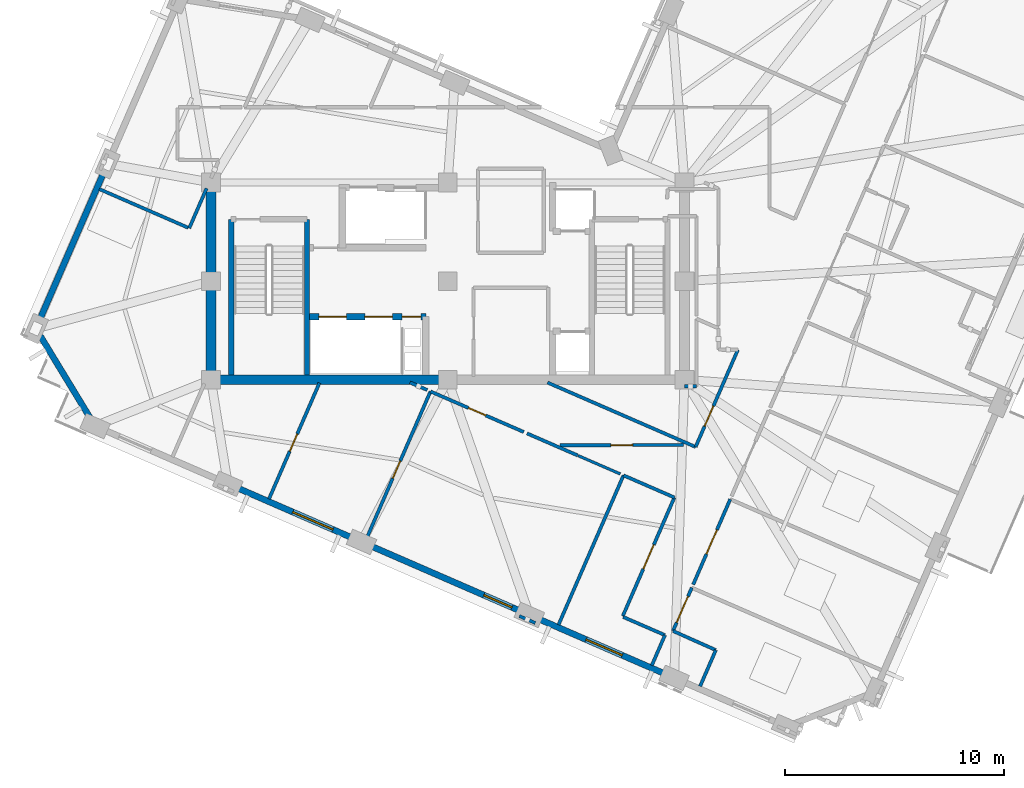
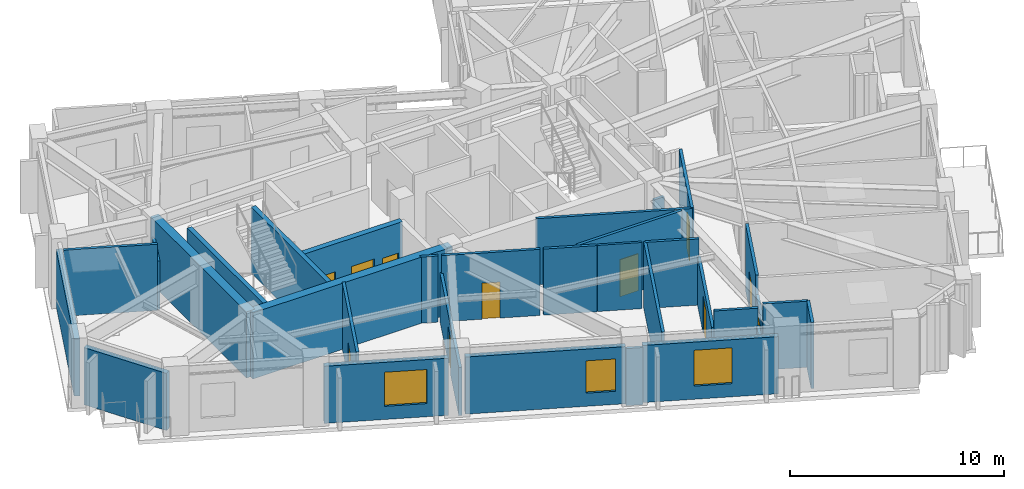
# One storey, part 4 of 11: 32 walls, 11 doors, 3 windows, 14 openings.
"""IFC4 building model written with IfcOpenShell, lengths in metres."""

from ifc_helpers import new_model, si_unit, direction, frame, frame_2d, origin, place, context, subcontext, project, spatial, rectangle, extrude, material, layer, layer_set, type_object, element, fill, save


model = new_model("IFC4")

# Units and contexts
model_context = context("Model", 3, precision=1e-05, world=origin(), true_north=direction((0.0, 1.0)))
body_context = subcontext(model_context, "Body", "Model", "MODEL_VIEW")
ifc_project = project(units=[si_unit("LENGTHUNIT", "METRE"), si_unit("AREAUNIT", "SQUARE_METRE"), si_unit("VOLUMEUNIT", "CUBIC_METRE"), si_unit("PLANEANGLEUNIT", "RADIAN"), si_unit("MASSUNIT", "GRAM", prefix="KILO")], contexts=[model_context])

# Site, building, storey
site_placement = place(None, origin())
site = spatial("IfcSite", under=ifc_project, at=site_placement, CompositionType="ELEMENT")
building_placement = place(site_placement, origin())
building = spatial("IfcBuilding", under=site, at=building_placement, Name="Gaonmaruhae Medical Tower", CompositionType="ELEMENT")
storey_placement = place(building_placement, frame((0.0, 0.0, 324.60009765625)))
storey = spatial("IfcBuildingStorey", under=building, at=storey_placement, Name="L78", CompositionType="ELEMENT", Elevation=324.60009765625)

# Walls
ifc_material_1 = material(Name="Concrete C50/60", Category="concrete")
ifc_layer_1 = layer(ifc_material_1, 0.449951171875)
ifc_layer_set_1 = layer_set([ifc_layer_1], Name="Concrete C50/60")
wall_type_1 = type_object("IfcWallType", Name="CW-450 Upper Core Shear Wall", PredefinedType="SHEAR", material=ifc_layer_set_1)
wall_1_placement = place(storey_placement, frame((14.0, 7.800048828125, 0.0), z_axis=(0.0, 0.0, 1.0), x_axis=(1.0, 0.0, 0.0)))
element("IfcWall", 1, at=wall_1_placement, inside=storey, type_object=wall_type_1, Name="L78 Core Shear Wall CSW-S1", PredefinedType="SHEAR", context=body_context, shape_type="SweptSolid", body=[
    extrude(rectangle(XDim=10.800048828125, YDim=0.449951171875, at=frame_2d((5.39990234375, 0.0))), origin(), (0.0, 0.0, 1.0), 3.77978515625),
])
wall_2_placement = place(storey_placement, frame((14.0, 16.800048828125, 0.0), z_axis=(0.0, 0.0, 1.0), x_axis=(0.0, -1.0, 0.0)))
element("IfcWall", 2, at=wall_2_placement, inside=storey, type_object=wall_type_1, Name="L78 Core Shear Wall CSW-W1", PredefinedType="SHEAR", context=body_context, shape_type="SweptSolid", body=[
    extrude(rectangle(XDim=9.0, YDim=0.449951171875, at=frame_2d((4.5, 0.0))), origin(), (0.0, 0.0, 1.0), 3.77978515625),
])
ifc_material_2 = material(Name="Precast concrete C45/55", Category="concrete")
ifc_layer_2 = layer(ifc_material_2, 0.280029296875)
ifc_layer_set_2 = layer_set([ifc_layer_2], Name="Precast concrete C45/55")
wall_type_2 = type_object("IfcWallType", Name="EW-280 Upper Precast Masonry-Frame Facade Wall", PredefinedType="SOLIDWALL", material=ifc_layer_set_2)
wall_3_placement = place(storey_placement, frame((6.17236328125, 10.498046875, 0.0), z_axis=(0.0, 0.0, 1.0), x_axis=(0.398740578379, 0.917063766133, 0.0)))
element("IfcWall", 3, at=wall_3_placement, inside=storey, type_object=wall_type_2, Name="L78 Precast Masonry-Frame Wall N02-N03", PredefinedType="SOLIDWALL", context=body_context, shape_type="SweptSolid", body=[
    extrude(rectangle(XDim=7.40478515625, YDim=0.280029296875, at=frame_2d((3.702392578125, 0.0))), origin(), (0.0, 0.0, 1.0), 3.264892578125),
])
wall_4_placement = place(storey_placement, frame((8.508544921875, 6.02734375, 0.0), z_axis=(0.0, 0.0, 1.0), x_axis=(-0.51924554751, 0.854625099907, 0.0)))
element("IfcWall", 4, at=wall_4_placement, inside=storey, type_object=wall_type_2, Name="L78 Precast Masonry-Frame Wall N03-W01", PredefinedType="SOLIDWALL", context=body_context, shape_type="SweptSolid", body=[
    extrude(rectangle(XDim=4.406982421875, YDim=0.280029296875, at=frame_2d((2.20361328125, 0.0))), origin(), (0.0, 0.0, 1.0), 3.264892578125),
])

# Wall, opening, window
wall_5_placement = place(storey_placement, frame((20.50146484375, 0.562744140625, 0.0), z_axis=(0.0, 0.0, 1.0), x_axis=(-0.917057460307, 0.39875508084, 0.0)))
wall_5 = element("IfcWall", 5, at=wall_5_placement, inside=storey, type_object=wall_type_2, Name="L78 Precast Masonry-Frame Wall W02-W03", PredefinedType="SOLIDWALL", context=body_context, shape_type="SweptSolid", body=[
    extrude(rectangle(XDim=5.85498046875, YDim=0.280029296875, at=frame_2d((2.927490234375, 0.0))), origin(), (0.0, 0.0, 1.0), 3.264892578125),
])
opening_1_placement = place(wall_5_placement, frame((1.021240234375, 0.0, 0.75)))
opening_1 = element("IfcOpeningElement", 6, at=opening_1_placement, cuts=wall_5, Name="Opening WN-02", PredefinedType="OPENING", context=body_context, shape_type="SweptSolid", body=[
    extrude(rectangle(XDim=2.0, YDim=1.949951171875, at=frame_2d((1.0, 0.97509765625))), frame((0.0, 0.14990234375, 0.0), z_axis=(0.0, -1.0, 0.0), x_axis=(1.0, 0.0, 0.0)), (0.0, 0.0, 1.0), 0.300048828125),
])
ifc_material_3 = material(Name="Anodised aluminium and Low-E double glazing", Category="aluminium")
window_type_1 = type_object("IfcWindowType", Name="WN-02 Double-Bed Ward Punched Window 2000x1950", PartitioningType="SINGLE_PANEL", PredefinedType="WINDOW", material=ifc_material_3)
window_1_placement = place(opening_1_placement, origin())
window_1 = element("IfcWindow", 7, at=window_1_placement, inside=storey, type_object=window_type_1, Name="L78 Modular Facade Window W02", OverallHeight=1.949951171875, OverallWidth=2.0, PartitioningType="SINGLE_PANEL", PredefinedType="WINDOW", context=body_context, shape_type="SweptSolid", body=[
    extrude(rectangle(XDim=2.0, YDim=1.949951171875, at=frame_2d((1.0, 0.97509765625))), frame((0.0, 0.030029296875, 0.0), z_axis=(0.0, -1.0, 0.0), x_axis=(1.0, 0.0, 0.0)), (0.0, 0.0, 1.0), 0.06005859375),
])
fill(opening_1, window_1)

wall_6_placement = place(storey_placement, frame((28.158935546875, -2.766845703125, 0.0), z_axis=(0.0, 0.0, 1.0), x_axis=(-0.917061321999, 0.398746199597, 0.0)))
wall_6 = element("IfcWall", 8, at=wall_6_placement, inside=storey, type_object=wall_type_2, Name="L78 Precast Masonry-Frame Wall W03-W04", PredefinedType="SOLIDWALL", context=body_context, shape_type="SweptSolid", body=[
    extrude(rectangle(XDim=7.5546875, YDim=0.280029296875, at=frame_2d((3.77734375, 0.0))), origin(), (0.0, 0.0, 1.0), 3.264892578125),
])
opening_2_placement = place(wall_6_placement, frame((0.469970703125, 0.0, 0.75)))
opening_2 = element("IfcOpeningElement", 9, at=opening_2_placement, cuts=wall_6, Name="Opening WN-03", PredefinedType="OPENING", context=body_context, shape_type="SweptSolid", body=[
    extrude(rectangle(XDim=1.39990234375, YDim=1.85009765625, at=frame_2d((0.699951171875, 0.925048828125))), frame((0.0, 0.14990234375, 0.0), z_axis=(0.0, -1.0, 0.0), x_axis=(1.0, 0.0, 0.0)), (0.0, 0.0, 1.0), 0.300048828125),
])
window_type_2 = type_object("IfcWindowType", Name="WN-03 Isolation Ward Punched Window 1400x1850", PartitioningType="SINGLE_PANEL", PredefinedType="WINDOW", material=ifc_material_3)
window_2_placement = place(opening_2_placement, origin())
window_2 = element("IfcWindow", 10, at=window_2_placement, inside=storey, type_object=window_type_2, Name="L78 Patient Bedroom Window L78-BR05", OverallHeight=1.85009765625, OverallWidth=1.39990234375, PartitioningType="SINGLE_PANEL", PredefinedType="WINDOW", context=body_context, shape_type="SweptSolid", body=[
    extrude(rectangle(XDim=1.39990234375, YDim=1.85009765625, at=frame_2d((0.699951171875, 0.925048828125))), frame((0.0, 0.030029296875, 0.0), z_axis=(0.0, -1.0, 0.0), x_axis=(1.0, 0.0, 0.0)), (0.0, 0.0, 1.0), 0.06005859375),
])
fill(opening_2, window_2)

wall_7_placement = place(storey_placement, frame((34.76171875, -5.6376953125, 0.0), z_axis=(0.0, 0.0, 1.0), x_axis=(-0.917056117272, 0.398758169539, 0.0)))
wall_7 = element("IfcWall", 11, at=wall_7_placement, inside=storey, type_object=wall_type_2, Name="L78 Precast Masonry-Frame Wall W04-W05", PredefinedType="SOLIDWALL", context=body_context, shape_type="SweptSolid", body=[
    extrude(rectangle(XDim=6.40478515625, YDim=0.280029296875, at=frame_2d((3.202392578125, 0.0))), origin(), (0.0, 0.0, 1.0), 3.264892578125),
])
opening_3_placement = place(wall_7_placement, frame((2.1826171875, 0.0, 0.75)))
opening_3 = element("IfcOpeningElement", 12, at=opening_3_placement, cuts=wall_7, Name="Opening WN-04", PredefinedType="OPENING", context=body_context, shape_type="SweptSolid", body=[
    extrude(rectangle(XDim=1.800048828125, YDim=2.050048828125, at=frame_2d((0.89990234375, 1.02490234375))), frame((0.0, 0.14990234375, 0.0), z_axis=(0.0, -1.0, 0.0), x_axis=(1.0, 0.0, 0.0)), (0.0, 0.0, 1.0), 0.300048828125),
])
window_type_3 = type_object("IfcWindowType", Name="WN-04 Clinic & Consult Punched Window 1800x2050", PartitioningType="SINGLE_PANEL", PredefinedType="WINDOW", material=ifc_material_3)
window_3_placement = place(opening_3_placement, origin())
window_3 = element("IfcWindow", 13, at=window_3_placement, inside=storey, type_object=window_type_3, Name="L78 Modular Facade Window W04", OverallHeight=2.050048828125, OverallWidth=1.800048828125, PartitioningType="SINGLE_PANEL", PredefinedType="WINDOW", context=body_context, shape_type="SweptSolid", body=[
    extrude(rectangle(XDim=1.800048828125, YDim=2.050048828125, at=frame_2d((0.89990234375, 1.02490234375))), frame((0.0, 0.030029296875, 0.0), z_axis=(0.0, -1.0, 0.0), x_axis=(1.0, 0.0, 0.0)), (0.0, 0.0, 1.0), 0.06005859375),
])
fill(opening_3, window_3)

# Walls
ifc_material_4 = material(Name="Gypsum board partition", Category="gypsum")
ifc_layer_3 = layer(ifc_material_4, 0.125)
ifc_layer_set_3 = layer_set([ifc_layer_3], Name="Gypsum board partition")
wall_type_3 = type_object("IfcWallType", Name="PW-125 Ward & En-Suite Acoustic Partition", PredefinedType="PARTITIONING", material=ifc_layer_set_3)
wall_8_placement = place(storey_placement, frame((30.7451171875, 4.341064453125, 0.0), z_axis=(0.0, 0.0, 1.0), x_axis=(0.917094083809, -0.398670843481, 0.0)))
element("IfcWall", 14, at=wall_8_placement, inside=storey, type_object=wall_type_3, Name="L78 Interior Partition L78-ENS05-68", PredefinedType="PARTITIONING", context=body_context, shape_type="SweptSolid", body=[
    extrude(rectangle(XDim=2.099853515625, YDim=0.125, at=frame_2d((1.0498046875, 0.0))), origin(), (0.0, 0.0, 1.0), 3.77978515625),
])
ifc_layer_4 = layer(ifc_material_4, 0.14990234375)
ifc_layer_set_4 = layer_set([ifc_layer_4], Name="Gypsum board partition")
wall_type_4 = type_object("IfcWallType", Name="PW-150 Rated Clinical Corridor Partition", PredefinedType="PARTITIONING", material=ifc_layer_set_4)
wall_9_placement = place(storey_placement, frame((37.029052734375, -4.530029296875, 0.0), z_axis=(0.0, 0.0, 1.0), x_axis=(-0.913189445399, 0.407535319711, 0.0)))
element("IfcWall", 15, at=wall_9_placement, inside=storey, type_object=wall_type_4, Name="L78 Interior Partition L78-BR01-8", PredefinedType="PARTITIONING", context=body_context, shape_type="SweptSolid", body=[
    extrude(rectangle(XDim=2.139892578125, YDim=0.14990234375, at=frame_2d((1.06982421875, 0.0))), origin(), (0.0, 0.0, 1.0), 3.77978515625),
])

# Wall, opening, door
wall_10_placement = place(storey_placement, frame((35.074951171875, -3.657958984375, 0.0), z_axis=(0.0, 0.0, 1.0), x_axis=(0.398726111414, 0.917070056253, 0.0)))
wall_10 = element("IfcWall", 16, at=wall_10_placement, inside=storey, type_object=wall_type_4, Name="L78 Interior Partition L78-BR01-9", PredefinedType="PARTITIONING", context=body_context, shape_type="SweptSolid", body=[
    extrude(rectangle(XDim=2.149169921875, YDim=0.14990234375, at=frame_2d((1.07470703125, 0.0))), origin(), (0.0, 0.0, 1.0), 2.764892578125),
])
opening_4_placement = place(wall_10_placement, frame((0.424560546875, 0.0, 0.0)))
opening_4 = element("IfcOpeningElement", 17, at=opening_4_placement, cuts=wall_10, Name="Opening WD-02", PredefinedType="OPENING", context=body_context, shape_type="SweptSolid", body=[
    extrude(rectangle(XDim=1.300048828125, YDim=2.14990234375, at=frame_2d((0.64990234375, 1.074951171875))), frame((0.0, 0.0849609375, 0.0), z_axis=(0.0, -1.0, 0.0), x_axis=(1.0, 0.0, 0.0)), (0.0, 0.0, 1.0), 0.169921875),
])
ifc_material_5 = material(Name="Antimicrobial laminate timber fire door", Category="wood")
door_type_1 = type_object("IfcDoorType", Name="WD-02 Isolation & ICU Patient Room Door 1300x2150", OperationType="NOTDEFINED", PredefinedType="DOOR", material=ifc_material_5)
door_1_placement = place(opening_4_placement, origin())
door_1 = element("IfcDoor", 18, at=door_1_placement, inside=storey, type_object=door_type_1, Name="L78 Single Isolation Patient Bedroom Door", OperationType="SINGLE_SWING_RIGHT", OverallHeight=2.14990234375, OverallWidth=1.300048828125, PredefinedType="DOOR", context=body_context, shape_type="SweptSolid", body=[
    extrude(rectangle(XDim=1.300048828125, YDim=2.14990234375, at=frame_2d((0.64990234375, 1.074951171875))), frame((0.0, 0.02490234375, 0.0), z_axis=(0.0, -1.0, 0.0), x_axis=(1.0, 0.0, 0.0)), (0.0, 0.0, 1.0), 0.050048828125),
])
fill(opening_4, door_1)

# Wall
wall_11_placement = place(storey_placement, frame((36.30908203125, -6.18505859375, 0.0), z_axis=(0.0, 0.0, 1.0), x_axis=(0.398909114857, 0.916990467826, 0.0)))
element("IfcWall", 19, at=wall_11_placement, inside=storey, type_object=wall_type_4, Name="L78 Interior Partition L78-BR01-17", PredefinedType="PARTITIONING", context=body_context, shape_type="SweptSolid", body=[
    extrude(rectangle(XDim=1.804931640625, YDim=0.14990234375, at=frame_2d((0.90234375, 0.0))), origin(), (0.0, 0.0, 1.0), 3.77978515625),
])

# Wall, opening, door
wall_12_placement = place(storey_placement, frame((35.99609375, -1.5400390625, 0.0), z_axis=(0.0, 0.0, 1.0), x_axis=(0.398633453706, 0.917110336648, 0.0)))
wall_12 = element("IfcWall", 20, at=wall_12_placement, inside=storey, type_object=wall_type_4, Name="L78 Interior Partition L78-SUP01-18", PredefinedType="PARTITIONING", context=body_context, shape_type="SweptSolid", body=[
    extrude(rectangle(XDim=4.2392578125, YDim=0.14990234375, at=frame_2d((2.11962890625, 0.0))), origin(), (0.0, 0.0, 1.0), 3.77978515625),
])
opening_5_placement = place(wall_12_placement, frame((1.519775390625, 0.0, 0.0)))
opening_5 = element("IfcOpeningElement", 21, at=opening_5_placement, cuts=wall_12, Name="Opening CD-02", PredefinedType="OPENING", context=body_context, shape_type="SweptSolid", body=[
    extrude(rectangle(XDim=1.199951171875, YDim=2.14990234375, at=frame_2d((0.60009765625, 1.074951171875))), frame((0.0, 0.0849609375, 0.0), z_axis=(0.0, -1.0, 0.0), x_axis=(1.0, 0.0, 0.0)), (0.0, 0.0, 1.0), 0.169921875),
])
door_type_2 = type_object("IfcDoorType", Name="CD-02 Clinical Treatment & Procedure Door 1200x2150", OperationType="NOTDEFINED", PredefinedType="DOOR", material=ifc_material_5)
door_2_placement = place(opening_5_placement, origin())
door_2 = element("IfcDoor", 22, at=door_2_placement, inside=storey, type_object=door_type_2, Name="L78 Clinical Biomedical Charting Office Door", OperationType="SINGLE_SWING_LEFT", OverallHeight=2.14990234375, OverallWidth=1.199951171875, PredefinedType="DOOR", context=body_context, shape_type="SweptSolid", body=[
    extrude(rectangle(XDim=1.199951171875, YDim=2.14990234375, at=frame_2d((0.60009765625, 1.074951171875))), frame((0.0, 0.02490234375, 0.0), z_axis=(0.0, -1.0, 0.0), x_axis=(1.0, 0.0, 0.0)), (0.0, 0.0, 1.0), 0.050048828125),
])
fill(opening_5, door_2)

# Walls
wall_13_placement = place(storey_placement, frame((32.801025390625, -3.01904296875, 0.0), z_axis=(0.0, 0.0, 1.0), x_axis=(0.917191295076, -0.398447146102, 0.0)))
element("IfcWall", 23, at=wall_13_placement, inside=storey, type_object=wall_type_4, Name="L78 Interior Partition L78-WCL07-58", PredefinedType="PARTITIONING", context=body_context, shape_type="SweptSolid", body=[
    extrude(rectangle(XDim=2.080322265625, YDim=0.14990234375, at=frame_2d((1.0400390625, 0.0))), origin(), (0.0, 0.0, 1.0), 3.77978515625),
])
wall_14_placement = place(storey_placement, frame((34.708984375, -3.847900390625, 0.0), z_axis=(0.0, 0.0, 1.0), x_axis=(-0.398749838991, -0.917059739551, 0.0)))
element("IfcWall", 24, at=wall_14_placement, inside=storey, type_object=wall_type_4, Name="L78 Interior Partition L78-WCL07-59", PredefinedType="PARTITIONING", context=body_context, shape_type="SweptSolid", body=[
    extrude(rectangle(XDim=1.5048828125, YDim=0.14990234375, at=frame_2d((0.75244140625, 0.0))), origin(), (0.0, 0.0, 1.0), 2.764892578125),
])
wall_15_placement = place(storey_placement, frame((29.85302734375, -3.3779296875, 0.0), z_axis=(0.0, 0.0, 1.0), x_axis=(0.398816165707, 0.917030896956, 0.0)))
element("IfcWall", 25, at=wall_15_placement, inside=storey, type_object=wall_type_4, Name="L78 Interior Partition L78-WCL07-60", PredefinedType="PARTITIONING", context=body_context, shape_type="SweptSolid", body=[
    extrude(rectangle(XDim=7.434814453125, YDim=0.14990234375, at=frame_2d((3.71728515625, 0.0))), origin(), (0.0, 0.0, 1.0), 3.77978515625),
])
wall_16_placement = place(storey_placement, frame((32.818115234375, 3.43994140625, 0.0), z_axis=(0.0, 0.0, 1.0), x_axis=(0.917010208472, -0.398863733068, 0.0)))
element("IfcWall", 26, at=wall_16_placement, inside=storey, type_object=wall_type_4, Name="L78 Interior Partition L78-WCL07-61", PredefinedType="PARTITIONING", context=body_context, shape_type="SweptSolid", body=[
    extrude(rectangle(XDim=2.52978515625, YDim=0.14990234375, at=frame_2d((1.264892578125, 0.0))), origin(), (0.0, 0.0, 1.0), 3.77978515625),
])

# Wall, opening, door
wall_17_placement = place(storey_placement, frame((35.137939453125, 2.430908203125, 0.0), z_axis=(0.0, 0.0, 1.0), x_axis=(-0.398810806125, -0.917033227816, 0.0)))
wall_17 = element("IfcWall", 27, at=wall_17_placement, inside=storey, type_object=wall_type_4, Name="L78 Interior Partition L78-WCL07-62", PredefinedType="PARTITIONING", context=body_context, shape_type="SweptSolid", body=[
    extrude(rectangle(XDim=5.902587890625, YDim=0.14990234375, at=frame_2d((2.951171875, 0.0))), origin(), (0.0, 0.0, 1.0), 2.764892578125),
])
opening_6_placement = place(wall_17_placement, frame((2.351318359375, 0.0, 0.0)))
opening_6 = element("IfcOpeningElement", 28, at=opening_6_placement, cuts=wall_17, Name="Opening CD-02", PredefinedType="OPENING", context=body_context, shape_type="SweptSolid", body=[
    extrude(rectangle(XDim=1.199951171875, YDim=2.14990234375, at=frame_2d((0.60009765625, 1.074951171875))), frame((0.0, 0.0849609375, 0.0), z_axis=(0.0, -1.0, 0.0), x_axis=(1.0, 0.0, 0.0)), (0.0, 0.0, 1.0), 0.169921875),
])
door_3_placement = place(opening_6_placement, origin())
door_3 = element("IfcDoor", 29, at=door_3_placement, inside=storey, type_object=door_type_2, Name="L78 Specialist Consultation Office Door", OperationType="SINGLE_SWING_LEFT", OverallHeight=2.14990234375, OverallWidth=1.199951171875, PredefinedType="DOOR", context=body_context, shape_type="SweptSolid", body=[
    extrude(rectangle(XDim=1.199951171875, YDim=2.14990234375, at=frame_2d((0.60009765625, 1.074951171875))), frame((0.0, 0.02490234375, 0.0), z_axis=(0.0, -1.0, 0.0), x_axis=(1.0, 0.0, 0.0)), (0.0, 0.0, 1.0), 0.050048828125),
])
fill(opening_6, door_3)

# Walls
wall_18_placement = place(storey_placement, frame((28.416015625, 5.35400390625, 0.0), z_axis=(0.0, 0.0, 1.0), x_axis=(0.917057734147, -0.398754451062, 0.0)))
element("IfcWall", 30, at=wall_18_placement, inside=storey, type_object=wall_type_4, Name="L78 Interior Partition L78-BR05-63", PredefinedType="PARTITIONING", context=body_context, shape_type="SweptSolid", body=[
    extrude(rectangle(XDim=2.52001953125, YDim=0.14990234375, at=frame_2d((1.260009765625, 0.0))), origin(), (0.0, 0.0, 1.0), 3.77978515625),
])
wall_19_placement = place(storey_placement, frame((28.7958984375, -3.294921875, 0.0), z_axis=(0.0, 0.0, 1.0), x_axis=(-0.91709935105, 0.398658726612, 0.0)))
element("IfcWall", 31, at=wall_19_placement, inside=storey, type_object=wall_type_4, Name="L78 Interior Partition L78-BR05-66", PredefinedType="PARTITIONING", context=body_context, shape_type="SweptSolid", body=[
    extrude(rectangle(XDim=0.794921875, YDim=0.14990234375, at=frame_2d((0.3974609375, 0.0))), origin(), (0.0, 0.0, 1.0), 3.264892578125),
])

# Wall, opening, door
wall_20_placement = place(storey_placement, frame((20.912109375, 0.134033203125, 0.0), z_axis=(0.0, 0.0, 1.0), x_axis=(0.398731849313, 0.917067561493, 0.0)))
wall_20 = element("IfcWall", 32, at=wall_20_placement, inside=storey, type_object=wall_type_4, Name="L78 Interior Partition L78-WOF08-69", PredefinedType="PARTITIONING", context=body_context, shape_type="SweptSolid", body=[
    extrude(rectangle(XDim=7.779296875, YDim=0.14990234375, at=frame_2d((3.8896484375, 0.0))), origin(), (0.0, 0.0, 1.0), 2.764892578125),
])
opening_7_placement = place(wall_20_placement, frame((3.459716796875, 0.0, 0.0)))
opening_7 = element("IfcOpeningElement", 33, at=opening_7_placement, cuts=wall_20, Name="Opening AD-01", PredefinedType="OPENING", context=body_context, shape_type="SweptSolid", body=[
    extrude(rectangle(XDim=0.860107421875, YDim=2.06005859375, at=frame_2d((0.43017578125, 1.030029296875))), frame((0.0, 0.0849609375, 0.0), z_axis=(0.0, -1.0, 0.0), x_axis=(1.0, 0.0, 0.0)), (0.0, 0.0, 1.0), 0.169921875),
])
ifc_material_6 = material(Name="Powder-coated steel access door", Category="steel")
door_type_3 = type_object("IfcDoorType", Name="AD-01 Riser & Closet Access Fire Door 860x2060", OperationType="NOTDEFINED", PredefinedType="DOOR", material=ifc_material_6)
door_4_placement = place(opening_7_placement, origin())
door_4 = element("IfcDoor", 34, at=door_4_placement, inside=storey, type_object=door_type_3, Name="L78 Ward Physician Reporting Office Sliding Door", OperationType="SLIDING_TO_LEFT", OverallHeight=2.06005859375, OverallWidth=0.860107421875, PredefinedType="DOOR", context=body_context, shape_type="SweptSolid", body=[
    extrude(rectangle(XDim=0.860107421875, YDim=2.06005859375, at=frame_2d((0.43017578125, 1.030029296875))), frame((0.0, 0.02490234375, 0.0), z_axis=(0.0, -1.0, 0.0), x_axis=(1.0, 0.0, 0.0)), (0.0, 0.0, 1.0), 0.050048828125),
])
fill(opening_7, door_4)

wall_21_placement = place(storey_placement, frame((24.013916015625, 7.26806640625, 0.0), z_axis=(0.0, 0.0, 1.0), x_axis=(0.91706671013, -0.398733807411, 0.0)))
wall_21 = element("IfcWall", 35, at=wall_21_placement, inside=storey, type_object=wall_type_4, Name="L78 Interior Partition L78-WOF08-70", PredefinedType="PARTITIONING", context=body_context, shape_type="SweptSolid", body=[
    extrude(rectangle(XDim=4.639892578125, YDim=0.14990234375, at=frame_2d((2.31982421875, 0.0))), origin(), (0.0, 0.0, 1.0), 3.77978515625),
])
opening_8_placement = place(wall_21_placement, frame((1.889892578125, 0.0, 0.0)))
opening_8 = element("IfcOpeningElement", 36, at=opening_8_placement, cuts=wall_21, Name="Opening AD-01", PredefinedType="OPENING", context=body_context, shape_type="SweptSolid", body=[
    extrude(rectangle(XDim=0.860107421875, YDim=2.06005859375, at=frame_2d((0.43017578125, 1.030029296875))), frame((0.0, 0.0849609375, 0.0), z_axis=(0.0, -1.0, 0.0), x_axis=(1.0, 0.0, 0.0)), (0.0, 0.0, 1.0), 0.169921875),
])
door_5_placement = place(opening_8_placement, origin())
door_5 = element("IfcDoor", 37, at=door_5_placement, inside=storey, type_object=door_type_3, Name="L78 Ward Physician Reporting Office Sliding Door", OperationType="SLIDING_TO_LEFT", OverallHeight=2.06005859375, OverallWidth=0.860107421875, PredefinedType="DOOR", context=body_context, shape_type="SweptSolid", body=[
    extrude(rectangle(XDim=0.860107421875, YDim=2.06005859375, at=frame_2d((0.43017578125, 1.030029296875))), frame((0.0, 0.02490234375, 0.0), z_axis=(0.0, -1.0, 0.0), x_axis=(1.0, 0.0, 0.0)), (0.0, 0.0, 1.0), 0.050048828125),
])
fill(opening_8, door_5)

wall_22_placement = place(storey_placement, frame((16.64697265625, 2.364013671875, 0.0), z_axis=(0.0, 0.0, 1.0), x_axis=(0.398935045973, 0.916979186838, 0.0)))
wall_22 = element("IfcWall", 38, at=wall_22_placement, inside=storey, type_object=wall_type_4, Name="L78 Interior Partition L78-WOF09-71", PredefinedType="PARTITIONING", context=body_context, shape_type="SweptSolid", body=[
    extrude(rectangle(XDim=5.767822265625, YDim=0.14990234375, at=frame_2d((2.8837890625, 0.0))), origin(), (0.0, 0.0, 1.0), 3.77978515625),
])
opening_9_placement = place(wall_22_placement, frame((2.370361328125, 0.0, 0.0)))
opening_9 = element("IfcOpeningElement", 39, at=opening_9_placement, cuts=wall_22, Name="Opening AD-01", PredefinedType="OPENING", context=body_context, shape_type="SweptSolid", body=[
    extrude(rectangle(XDim=0.860107421875, YDim=2.06005859375, at=frame_2d((0.43017578125, 1.030029296875))), frame((0.0, 0.0849609375, 0.0), z_axis=(0.0, -1.0, 0.0), x_axis=(1.0, 0.0, 0.0)), (0.0, 0.0, 1.0), 0.169921875),
])
door_6_placement = place(opening_9_placement, origin())
door_6 = element("IfcDoor", 40, at=door_6_placement, inside=storey, type_object=door_type_3, Name="L78 Ward Physician Reporting Office Sliding Door", OperationType="SLIDING_TO_LEFT", OverallHeight=2.06005859375, OverallWidth=0.860107421875, PredefinedType="DOOR", context=body_context, shape_type="SweptSolid", body=[
    extrude(rectangle(XDim=0.860107421875, YDim=2.06005859375, at=frame_2d((0.43017578125, 1.030029296875))), frame((0.0, 0.02490234375, 0.0), z_axis=(0.0, -1.0, 0.0), x_axis=(1.0, 0.0, 0.0)), (0.0, 0.0, 1.0), 0.050048828125),
])
fill(opening_9, door_6)

# Wall
wall_23_placement = place(storey_placement, frame((23.0791015625, 7.675048828125, 0.0), z_axis=(0.0, 0.0, 1.0), x_axis=(0.91686666905, -0.399193576082, 0.0)))
element("IfcWall", 41, at=wall_23_placement, inside=storey, type_object=wall_type_4, Name="L78 Interior Partition L78-WOF09-72", PredefinedType="PARTITIONING", context=body_context, shape_type="SweptSolid", body=[
    extrude(rectangle(XDim=0.859375, YDim=0.14990234375, at=frame_2d((0.4296875, 0.0))), origin(), (0.0, 0.0, 1.0), 3.77978515625),
])

# Wall, opening, door
wall_24_placement = place(storey_placement, frame((38.034912109375, 9.169921875, 0.0), z_axis=(0.0, 0.0, 1.0), x_axis=(-0.398764886009, -0.917053196759, 0.0)))
wall_24 = element("IfcWall", 42, at=wall_24_placement, inside=storey, type_object=wall_type_4, Name="L78 Interior Partition L78-IE01-78", PredefinedType="PARTITIONING", context=body_context, shape_type="SweptSolid", body=[
    extrude(rectangle(XDim=4.8349609375, YDim=0.14990234375, at=frame_2d((2.41748046875, 0.0))), origin(), (0.0, 0.0, 1.0), 3.77978515625),
])
opening_10_placement = place(wall_24_placement, frame((2.8017578125, 0.0, 0.0)))
opening_10 = element("IfcOpeningElement", 43, at=opening_10_placement, cuts=wall_24, Name="Opening CD-01", PredefinedType="OPENING", context=body_context, shape_type="SweptSolid", body=[
    extrude(rectangle(XDim=1.0, YDim=2.1201171875, at=frame_2d((0.5, 1.06005859375))), frame((0.0, 0.0849609375, 0.0), z_axis=(0.0, -1.0, 0.0), x_axis=(1.0, 0.0, 0.0)), (0.0, 0.0, 1.0), 0.169921875),
])
door_type_4 = type_object("IfcDoorType", Name="CD-01 Consultation & Physician Office Door 1000x2120", OperationType="NOTDEFINED", PredefinedType="DOOR", material=ifc_material_5)
door_7_placement = place(opening_10_placement, origin())
door_7 = element("IfcDoor", 44, at=door_7_placement, inside=storey, type_object=door_type_4, Name="L78 Central Clinical Nurse Station Door", OperationType="SINGLE_SWING_LEFT", OverallHeight=2.1201171875, OverallWidth=1.0, PredefinedType="DOOR", context=body_context, shape_type="SweptSolid", body=[
    extrude(rectangle(XDim=1.0, YDim=2.1201171875, at=frame_2d((0.5, 1.06005859375))), frame((0.0, 0.02490234375, 0.0), z_axis=(0.0, -1.0, 0.0), x_axis=(1.0, 0.0, 0.0)), (0.0, 0.0, 1.0), 0.050048828125),
])
fill(opening_10, door_7)

# Walls
wall_25_placement = place(storey_placement, frame((36.10693359375, 4.736083984375, 0.0), z_axis=(0.0, 0.0, 1.0), x_axis=(-0.917031075712, 0.398815754676, 0.0)))
element("IfcWall", 45, at=wall_25_placement, inside=storey, type_object=wall_type_4, Name="L78 Interior Partition L78-IE01-79", PredefinedType="PARTITIONING", context=body_context, shape_type="SweptSolid", body=[
    extrude(rectangle(XDim=7.369140625, YDim=0.14990234375, at=frame_2d((3.6845703125, 0.0))), origin(), (0.0, 0.0, 1.0), 3.77978515625),
])
wall_26_placement = place(storey_placement, frame((35.60009765625, 7.5, 0.0), z_axis=(0.0, 0.0, 1.0), x_axis=(1.0, 0.0, 0.0)))
element("IfcWall", 46, at=wall_26_placement, inside=storey, type_object=wall_type_4, Name="L78 Interior Partition L78-IE01-80", PredefinedType="PARTITIONING", context=body_context, shape_type="SweptSolid", body=[
    extrude(rectangle(XDim=0.5498046875, YDim=0.14990234375, at=frame_2d((0.27490234375, 0.0))), origin(), (0.0, 0.0, 1.0), 2.764892578125),
])
wall_27_placement = place(storey_placement, frame((13.800048828125, 16.530029296875, 0.0), z_axis=(0.0, 0.0, 1.0), x_axis=(-0.398942481852, -0.916975951797, 0.0)))
element("IfcWall", 47, at=wall_27_placement, inside=storey, type_object=wall_type_4, Name="L78 Interior Partition L78-IN03-121", PredefinedType="PARTITIONING", context=body_context, shape_type="SweptSolid", body=[
    extrude(rectangle(XDim=1.980224609375, YDim=0.14990234375, at=frame_2d((0.990234375, 0.0))), origin(), (0.0, 0.0, 1.0), 2.764892578125),
])
wall_28_placement = place(storey_placement, frame((12.964111328125, 14.73388671875, 0.0), z_axis=(0.0, 0.0, 1.0), x_axis=(-0.917054263497, 0.398762432786, 0.0)))
element("IfcWall", 48, at=wall_28_placement, inside=storey, type_object=wall_type_4, Name="L78 Interior Partition L78-IN03-122", PredefinedType="PARTITIONING", context=body_context, shape_type="SweptSolid", body=[
    extrude(rectangle(XDim=4.424072265625, YDim=0.14990234375, at=frame_2d((2.2119140625, 0.0))), origin(), (0.0, 0.0, 1.0), 3.77978515625),
])

# Wall, opening, door
wall_29_placement = place(storey_placement, frame((35.55908203125, 4.830078125, 0.0), z_axis=(0.0, 0.0, 1.0), x_axis=(-0.999994878711, -0.003200398799, 0.0)))
wall_29 = element("IfcWall", 49, at=wall_29_placement, inside=storey, type_object=wall_type_4, Name="L78 Interior Partition L78-RM02-129", PredefinedType="PARTITIONING", context=body_context, shape_type="SweptSolid", body=[
    extrude(rectangle(XDim=5.64501953125, YDim=0.14990234375, at=frame_2d((2.822509765625, 0.0))), origin(), (0.0, 0.0, 1.0), 3.77978515625),
])
opening_11_placement = place(wall_29_placement, frame((2.322509765625, 0.0, 0.0)))
opening_11 = element("IfcOpeningElement", 50, at=opening_11_placement, cuts=wall_29, Name="Opening CD-01", PredefinedType="OPENING", context=body_context, shape_type="SweptSolid", body=[
    extrude(rectangle(XDim=1.0, YDim=2.1201171875, at=frame_2d((0.5, 1.06005859375))), frame((0.0, 0.0849609375, 0.0), z_axis=(0.0, -1.0, 0.0), x_axis=(1.0, 0.0, 0.0)), (0.0, 0.0, 1.0), 0.169921875),
])
door_8_placement = place(opening_11_placement, origin())
door_8 = element("IfcDoor", 51, at=door_8_placement, inside=storey, type_object=door_type_4, Name="L78 Care Team Clinical Charting Office Door", OperationType="SINGLE_SWING_LEFT", OverallHeight=2.1201171875, OverallWidth=1.0, PredefinedType="DOOR", context=body_context, shape_type="SweptSolid", body=[
    extrude(rectangle(XDim=1.0, YDim=2.1201171875, at=frame_2d((0.5, 1.06005859375))), frame((0.0, 0.02490234375, 0.0), z_axis=(0.0, -1.0, 0.0), x_axis=(1.0, 0.0, 0.0)), (0.0, 0.0, 1.0), 0.050048828125),
])
fill(opening_11, door_8)

# Walls
ifc_layer_5 = layer(ifc_material_1, 0.239990234375)
ifc_layer_set_5 = layer_set([ifc_layer_5], Name="Concrete C50/60")
wall_type_5 = type_object("IfcWallType", Name="SW-240 Dogleg Stair Tight Shaft Wall", PredefinedType="SOLIDWALL", material=ifc_layer_set_5)
for number, where, z_axis, x_axis, name in (
    (52, (18.3798828125, 15.1201171875, 0.0), (0.0, 0.0, 1.0), (0.0, -1.0, 0.0), "L78 ST-01 Stair Shaft Wall SHW-ST-01-E"),
    (53, (14.919921875, 8.02490234375, 0.0), (0.0, 0.0, 1.0), (0.0, 1.0, 0.0), "L78 ST-01 Stair Shaft Wall SHW-ST-01-W"),
):
    element("IfcWall", number, at=place(storey_placement, frame(where, z_axis=z_axis, x_axis=x_axis)), inside=storey, type_object=wall_type_5, Name=name, PredefinedType="SOLIDWALL", context=body_context, shape_type="SweptSolid", body=[
        extrude(rectangle(XDim=7.09521484375, YDim=0.239990234375, at=frame_2d((3.547607421875, 0.0))), origin(), (0.0, 0.0, 1.0), 3.77978515625),
    ])

# Wall, openings, doors
ifc_layer_6 = layer(ifc_material_1, 0.300048828125)
ifc_layer_set_6 = layer_set([ifc_layer_6], Name="Concrete C50/60")
wall_type_6 = type_object("IfcWallType", Name="SW-300 Stair & Lift Hoistway Shaft Wall", PredefinedType="SOLIDWALL", material=ifc_layer_set_6)
wall_30_placement = place(storey_placement, frame((18.5, 10.679931640625, 0.0), z_axis=(0.0, 0.0, 1.0), x_axis=(1.0, 0.0, 0.0)))
wall_30 = element("IfcWall", 54, at=wall_30_placement, inside=storey, type_object=wall_type_6, Name="L78 Shaft Enclosure Wall SHW-FFN", PredefinedType="SOLIDWALL", context=body_context, shape_type="SweptSolid", body=[
    extrude(rectangle(XDim=5.300048828125, YDim=0.300048828125, at=frame_2d((2.64990234375, 0.0))), origin(), (0.0, 0.0, 1.0), 3.77978515625),
])
opening_12_placement = place(wall_30_placement, frame((4.219970703125, 0.0, 0.0)))
opening_12 = element("IfcOpeningElement", 55, at=opening_12_placement, cuts=wall_30, Name="Opening AD-01", PredefinedType="OPENING", context=body_context, shape_type="SweptSolid", body=[
    extrude(rectangle(XDim=0.860107421875, YDim=2.06005859375, at=frame_2d((0.43017578125, 1.030029296875))), frame((0.0, 0.16015625, 0.0), z_axis=(0.0, -1.0, 0.0), x_axis=(1.0, 0.0, 0.0)), (0.0, 0.0, 1.0), 0.320068359375),
])
opening_13_placement = place(wall_30_placement, frame((0.425048828125, 0.0, 0.0)))
opening_13 = element("IfcOpeningElement", 56, at=opening_13_placement, cuts=wall_30, Name="Opening LD-F1", PredefinedType="OPENING", context=body_context, shape_type="SweptSolid", body=[
    extrude(rectangle(XDim=1.25, YDim=2.179931640625, at=frame_2d((0.625, 1.08984375))), frame((0.0, 0.16015625, 0.0), z_axis=(0.0, -1.0, 0.0), x_axis=(1.0, 0.0, 0.0)), (0.0, 0.0, 1.0), 0.320068359375),
])
opening_14_placement = place(wall_30_placement, frame((2.52490234375, 0.0, 0.0)))
opening_14 = element("IfcOpeningElement", 57, at=opening_14_placement, cuts=wall_30, Name="Opening LD-F1", PredefinedType="OPENING", context=body_context, shape_type="SweptSolid", body=[
    extrude(rectangle(XDim=1.25, YDim=2.179931640625, at=frame_2d((0.625, 1.08984375))), frame((0.0, 0.16015625, 0.0), z_axis=(0.0, -1.0, 0.0), x_axis=(1.0, 0.0, 0.0)), (0.0, 0.0, 1.0), 0.320068359375),
])
door_9_placement = place(opening_12_placement, origin())
door_9 = element("IfcDoor", 58, at=door_9_placement, inside=storey, type_object=door_type_3, Name="L78 Medical Gas and MEP Riser Access Door", OperationType="SINGLE_SWING_RIGHT", OverallHeight=2.06005859375, OverallWidth=0.860107421875, PredefinedType="DOOR", context=body_context, shape_type="SweptSolid", body=[
    extrude(rectangle(XDim=0.860107421875, YDim=2.06005859375, at=frame_2d((0.43017578125, 1.030029296875))), frame((0.0, 0.02490234375, 0.0), z_axis=(0.0, -1.0, 0.0), x_axis=(1.0, 0.0, 0.0)), (0.0, 0.0, 1.0), 0.050048828125),
])
fill(opening_12, door_9)
ifc_material_7 = material(Name="Brushed stainless steel 316L landing door", Category="steel")
door_type_5 = type_object("IfcDoorType", Name="LD-F1 Firefighting & Bed Lift Sliding Landing Door 1250x2180", OperationType="NOTDEFINED", PredefinedType="DOOR", material=ifc_material_7)
door_10_placement = place(opening_13_placement, origin())
door_10 = element("IfcDoor", 59, at=door_10_placement, inside=storey, type_object=door_type_5, Name="L78 Firefighting Lift Landing Door FFL-01", OperationType="DOUBLE_DOOR_SLIDING", OverallHeight=2.179931640625, OverallWidth=1.25, PredefinedType="DOOR", context=body_context, shape_type="SweptSolid", body=[
    extrude(rectangle(XDim=1.25, YDim=2.179931640625, at=frame_2d((0.625, 1.08984375))), frame((0.0, 0.02490234375, 0.0), z_axis=(0.0, -1.0, 0.0), x_axis=(1.0, 0.0, 0.0)), (0.0, 0.0, 1.0), 0.050048828125),
])
fill(opening_13, door_10)
door_11_placement = place(opening_14_placement, origin())
door_11 = element("IfcDoor", 60, at=door_11_placement, inside=storey, type_object=door_type_5, Name="L78 Firefighting Lift Landing Door FFL-02", OperationType="DOUBLE_DOOR_SLIDING", OverallHeight=2.179931640625, OverallWidth=1.25, PredefinedType="DOOR", context=body_context, shape_type="SweptSolid", body=[
    extrude(rectangle(XDim=1.25, YDim=2.179931640625, at=frame_2d((0.625, 1.08984375))), frame((0.0, 0.02490234375, 0.0), z_axis=(0.0, -1.0, 0.0), x_axis=(1.0, 0.0, 0.0)), (0.0, 0.0, 1.0), 0.050048828125),
])
fill(opening_14, door_11)

save(model, "model.ifc")
